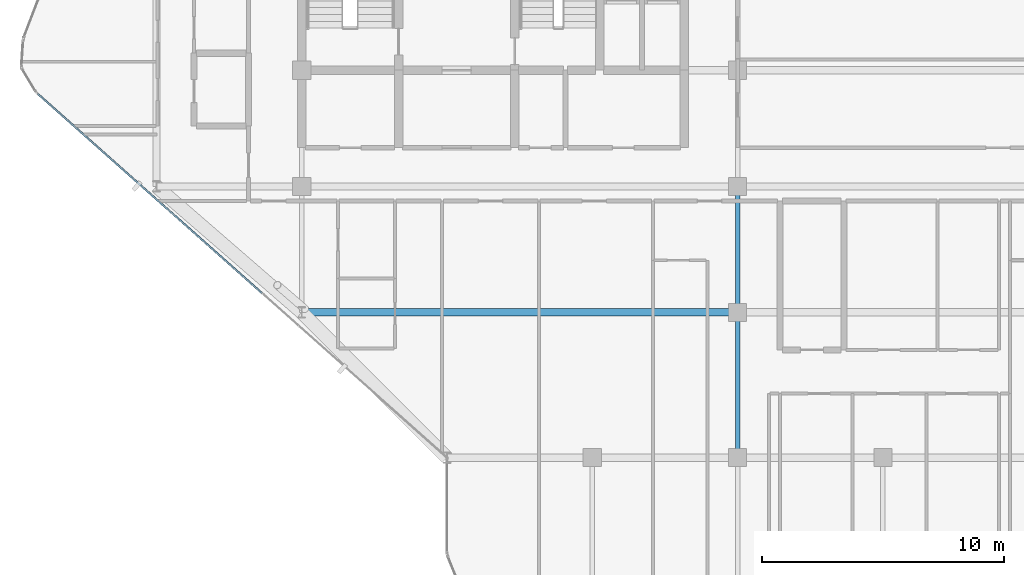
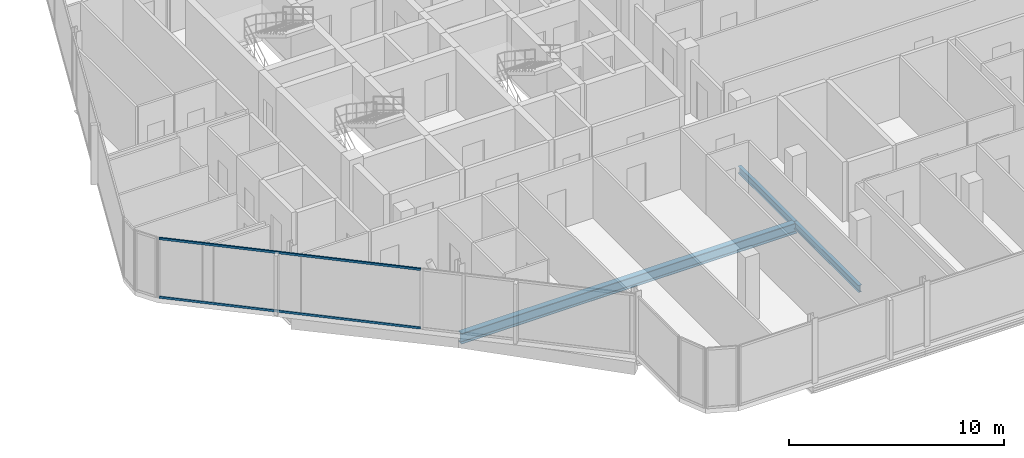
# One storey, part 7 of 29: 3 beams, 2 members, 1 element without a shape of its own.
"""IFC4 building model written with IfcOpenShell, lengths in metres."""

from ifc_helpers import new_model, si_unit, direction, frame, origin, origin_2d, place, context, subcontext, project, spatial, hollow_rectangle, i_section, extrude, material, layer, layer_set, material_profile, profile_set, type_object, element, aggregate, save


model = new_model("IFC4")

# Units and contexts
model_context = context("Model", 3, precision=1e-05, world=origin(), true_north=direction((0.0, 1.0)))
body_context = subcontext(model_context, "Body", "Model", "MODEL_VIEW")
ifc_project = project(units=[si_unit("LENGTHUNIT", "METRE"), si_unit("AREAUNIT", "SQUARE_METRE"), si_unit("VOLUMEUNIT", "CUBIC_METRE"), si_unit("PLANEANGLEUNIT", "RADIAN"), si_unit("MASSUNIT", "GRAM", prefix="KILO")], contexts=[model_context])

# Site, building, storey
site_placement = place(None, origin())
site = spatial("IfcSite", under=ifc_project, at=site_placement, CompositionType="ELEMENT")
building_placement = place(site_placement, origin())
building = spatial("IfcBuilding", under=site, at=building_placement, Name="Keshet Zoharim Tower", CompositionType="ELEMENT")
storey_placement = place(building_placement, frame((0.0, 0.0, 210.60009765625)))
storey = spatial("IfcBuildingStorey", under=building, at=storey_placement, Name="L52", CompositionType="ELEMENT", Elevation=210.60009765625)

# Beams
ifc_material_1 = material(Name="Steel S355", Category="steel")
ifc_material_profile_1 = material_profile(ifc_material_1, i_section(OverallWidth=0.300048828125, OverallDepth=0.60009765625, WebThickness=0.015380859375, FlangeThickness=0.030029296875, FilletRadius=0.027099609375, at=origin_2d()), Name="HEB600")
ifc_profile_set_1 = profile_set([ifc_material_profile_1], Name="Steel S355")
beam_type_1 = type_object("IfcBeamType", Name="BM-LNG-HB600", PredefinedType="BEAM", material=ifc_profile_set_1)
beam_1_placement = place(storey_placement, frame((15.0, 12.699951171875, -0.610107421875), z_axis=(1.0, 0.0, 0.0), x_axis=(0.0, 1.0, 0.0)))
element("IfcBeam", 1, at=beam_1_placement, inside=storey, type_object=beam_type_1, Name="L52 Primary Girder X-009", PredefinedType="BEAM", context=body_context, shape_type="SweptSolid", body=[
    extrude(i_section(OverallWidth=0.300048828125, OverallDepth=0.60009765625, WebThickness=0.015380859375, FlangeThickness=0.030029296875, FilletRadius=0.027099609375, at=origin_2d()), origin(), (0.0, 0.0, 1.0), 18.0),
])
ifc_material_profile_2 = material_profile(ifc_material_1, i_section(OverallWidth=0.179931640625, OverallDepth=0.39990234375, WebThickness=0.008544921875, FlangeThickness=0.013427734375, FilletRadius=0.02099609375, at=origin_2d()), Name="IPE400")
ifc_profile_set_2 = profile_set([ifc_material_profile_2], Name="Steel S355")
beam_type_2 = type_object("IfcBeamType", Name="BM-PRI-IP400", PredefinedType="BEAM", material=ifc_profile_set_2)
beam_2_placement = place(storey_placement, frame((33.0, 6.699951171875, -0.510009765625), z_axis=(0.0, 1.0, 0.0), x_axis=(-1.0, 0.0, 0.0)))
element("IfcBeam", 2, at=beam_2_placement, inside=storey, type_object=beam_type_2, Name="L52 Primary Girder Y-006", PredefinedType="BEAM", context=body_context, shape_type="SweptSolid", body=[
    extrude(i_section(OverallWidth=0.179931640625, OverallDepth=0.39990234375, WebThickness=0.008544921875, FlangeThickness=0.013427734375, FilletRadius=0.02099609375, at=origin_2d()), origin(), (0.0, 0.0, 1.0), 6.0),
])
beam_3_placement = place(storey_placement, frame((33.0, 12.699951171875, -0.510009765625), z_axis=(0.0, 1.0, 0.0), x_axis=(-1.0, 0.0, 0.0)))
element("IfcBeam", 3, at=beam_3_placement, inside=storey, type_object=beam_type_2, Name="L52 Primary Girder Y-007", PredefinedType="BEAM", context=body_context, shape_type="SweptSolid", body=[
    extrude(i_section(OverallWidth=0.179931640625, OverallDepth=0.39990234375, WebThickness=0.008544921875, FlangeThickness=0.013427734375, FilletRadius=0.02099609375, at=origin_2d()), origin(), (0.0, 0.0, 1.0), 5.199951171875),
])

# Curtain wall, members
ifc_material_2 = material(Name="Aluminium 6063-T6", Category="aluminium")
ifc_layer = layer(ifc_material_2, 0.139892578125)
ifc_layer_set = layer_set([ifc_layer], Name="Aluminium 6063-T6")
curtain_wall_type = type_object("IfcCurtainWallType", Name="CW-SYS-05", PredefinedType="NOTDEFINED", material=ifc_layer_set)
curtain_wall_placement = place(storey_placement, origin())
curtain_wall = element("IfcCurtainWall", 4, at=curtain_wall_placement, inside=storey, type_object=curtain_wall_type, Name="L52 Unitised Curtain Wall 10 Part 3", PredefinedType="NOTDEFINED")
ifc_material_profile_3 = material_profile(ifc_material_2, hollow_rectangle(XDim=0.074951171875, YDim=0.1201171875, WallThickness=0.00390625, at=origin_2d()), Name="TRN-75x120")
ifc_profile_set_3 = profile_set([ifc_material_profile_3], Name="Aluminium 6063-T6")
member_type = type_object("IfcMemberType", Name="CWT-T12", PredefinedType="USERDEFINED", material=ifc_profile_set_3)
member_1_placement = place(storey_placement, frame((13.3623046875, 13.489013671875, 0.034912109375), z_axis=(-0.747408233231, 0.664365059962, 0.0), x_axis=(-0.664365059962, -0.747408233231, 0.0)))
member_1 = element("IfcMember", 5, at=member_1_placement, type_object=member_type, Name="CW-05 transom 1.1", ObjectType="TRANSOM", PredefinedType="USERDEFINED", context=body_context, shape_type="SweptSolid", body=[
    extrude(hollow_rectangle(XDim=0.074951171875, YDim=0.1201171875, WallThickness=0.00390625, at=origin_2d()), origin(), (0.0, 0.0, 1.0), 12.409423828125),
])
member_2_placement = place(storey_placement, frame((13.3623046875, 13.489013671875, 3.35498046875), z_axis=(-0.747408233231, 0.664365059962, 0.0), x_axis=(-0.664365059962, -0.747408233231, 0.0)))
member_2 = element("IfcMember", 6, at=member_2_placement, type_object=member_type, Name="CW-05 transom 1.2", ObjectType="TRANSOM", PredefinedType="USERDEFINED", context=body_context, shape_type="SweptSolid", body=[
    extrude(hollow_rectangle(XDim=0.074951171875, YDim=0.1201171875, WallThickness=0.00390625, at=origin_2d()), origin(), (0.0, 0.0, 1.0), 12.409423828125),
])
aggregate(curtain_wall, [member_1, member_2])

save(model, "model.ifc")
